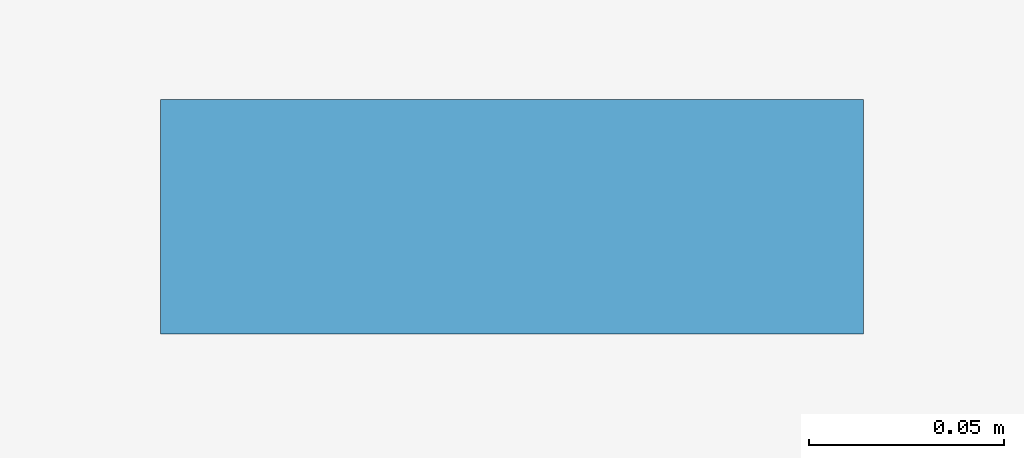
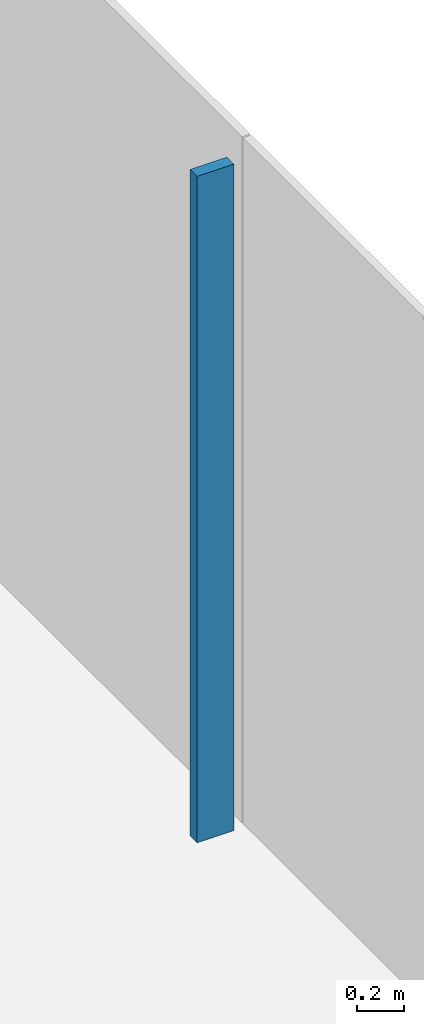
# One storey, part 8 of 21: 1 member, 1 element without a shape of its own.
"""IFC4 building model written with IfcOpenShell, lengths in metres."""

from ifc_helpers import new_model, si_unit, direction, frame, origin, origin_2d, place, context, subcontext, project, spatial, rectangle, extrude, material, layer, layer_set, material_profile, profile_set, type_object, element, aggregate, save


model = new_model("IFC4")

# Units and contexts
model_context = context("Model", 3, precision=1e-05, world=origin(), true_north=direction((0.0, 1.0)))
body_context = subcontext(model_context, "Body", "Model", "MODEL_VIEW")
ifc_project = project(units=[si_unit("LENGTHUNIT", "METRE"), si_unit("AREAUNIT", "SQUARE_METRE"), si_unit("VOLUMEUNIT", "CUBIC_METRE"), si_unit("PLANEANGLEUNIT", "RADIAN"), si_unit("MASSUNIT", "GRAM", prefix="KILO")], contexts=[model_context])

# Site, building, storey
site_placement = place(None, origin())
site = spatial("IfcSite", under=ifc_project, at=site_placement, CompositionType="ELEMENT")
building_placement = place(site_placement, origin())
building = spatial("IfcBuilding", under=site, at=building_placement, Name="Shamsa Quay Exchange Towers", CompositionType="ELEMENT")
storey_placement = place(building_placement, frame((0.0, 0.0, 42.0)))
storey = spatial("IfcBuildingStorey", under=building, at=storey_placement, Name="L08", CompositionType="ELEMENT", Elevation=42.0)

# Curtain wall, member
ifc_material = material(Name="Aluminium EN AW-6063 T6, black anodised", Category="aluminium")
ifc_layer = layer(ifc_material, 0.280029296875)
ifc_layer_set = layer_set([ifc_layer], Name="CW-1 UNITISED VISION GLASS")
curtain_wall_type = type_object("IfcCurtainWallType", Name="CW-1 UNITISED VISION GLASS", PredefinedType="NOTDEFINED", material=ifc_layer_set)
curtain_wall_placement = place(storey_placement, origin())
curtain_wall = element("IfcCurtainWall", 1, at=curtain_wall_placement, inside=storey, type_object=curtain_wall_type, Name="CW1 T2-END-V- L08", PredefinedType="NOTDEFINED")
ifc_material_profile = material_profile(ifc_material, rectangle(XDim=0.179931640625, YDim=0.06005859375, at=origin_2d()), Name="MU60x180")
ifc_profile_set = profile_set([ifc_material_profile], Name="Aluminium EN AW-6063 T6, black anodised")
member_type = type_object("IfcMemberType", Name="CW1 MULLION 60x180", PredefinedType="MULLION", material=ifc_profile_set)
member_placement = place(storey_placement, frame((62.85009765625, 2.25, 0.0), z_axis=(0.0, 0.0, 1.0), x_axis=(-1.0, 0.0, 0.0)))
member = element("IfcMember", 2, at=member_placement, type_object=member_type, Name="CW1 mullion", PredefinedType="MULLION", context=body_context, shape_type="SweptSolid", body=[
    extrude(rectangle(XDim=0.179931640625, YDim=0.06005859375, at=origin_2d()), origin(), (0.0, 0.0, 1.0), 3.449951171875),
])
aggregate(curtain_wall, [member])

save(model, "model.ifc")
